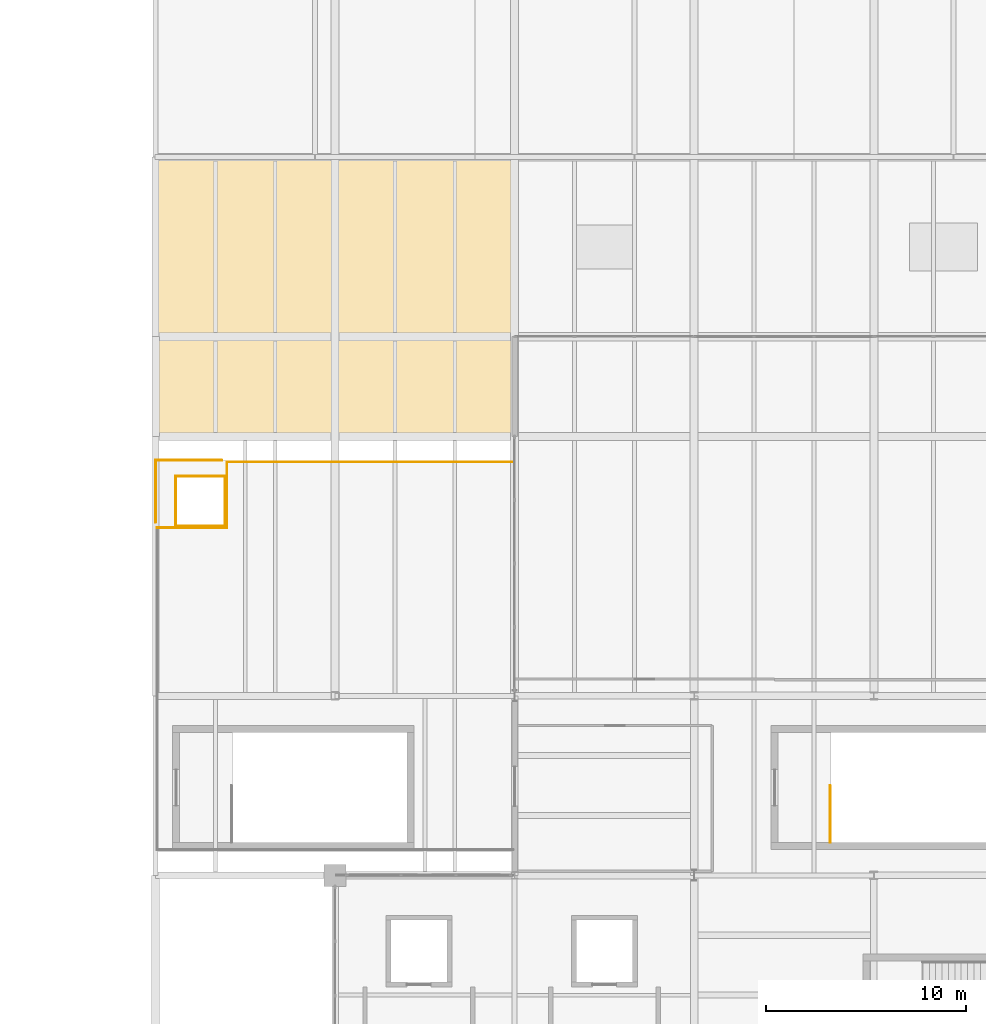
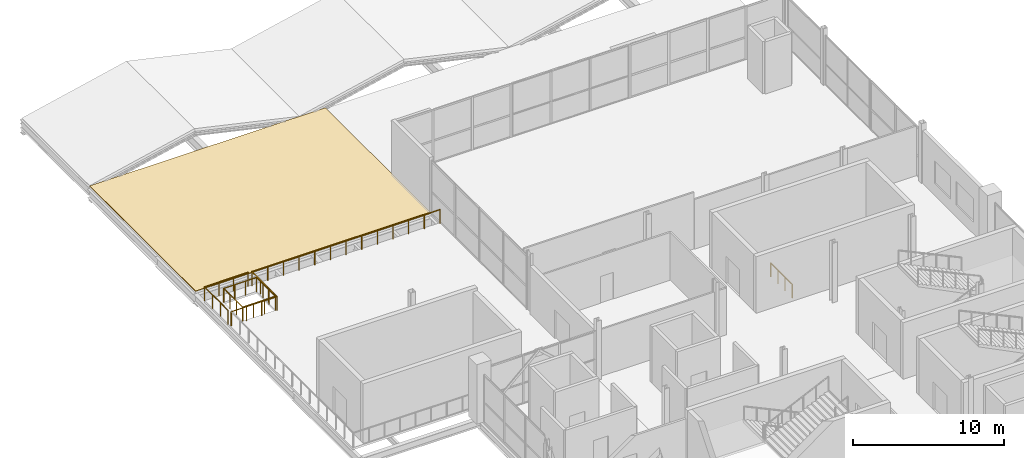
# One storey, part 49 of 50: 10 railings, 1 covering.
"""IFC4 building model written with IfcOpenShell, lengths in metres."""

from ifc_helpers import new_model, si_unit, direction, frame, origin, origin_2d, place, context, subcontext, project, spatial, polyline, circle, outline, extrude, material, layer, layer_set, type_object, element, save


model = new_model("IFC4")

# Units and contexts
model_context = context("Model", 3, precision=1e-05, world=origin(), true_north=direction((0.0, 1.0)))
body_context = subcontext(model_context, "Body", "Model", "MODEL_VIEW")
ifc_project = project(units=[si_unit("LENGTHUNIT", "METRE"), si_unit("AREAUNIT", "SQUARE_METRE"), si_unit("VOLUMEUNIT", "CUBIC_METRE"), si_unit("PLANEANGLEUNIT", "RADIAN"), si_unit("MASSUNIT", "GRAM", prefix="KILO")], contexts=[model_context])

# Site, building, storey
site_placement = place(None, origin())
site = spatial("IfcSite", under=ifc_project, at=site_placement, CompositionType="ELEMENT")
building_placement = place(site_placement, origin())
building = spatial("IfcBuilding", under=site, at=building_placement, Name="Qamarlyn Nura Convention Centre", CompositionType="ELEMENT")
storey_placement = place(building_placement, frame((0.0, 0.0, 20.39990234375)))
storey = spatial("IfcBuildingStorey", under=building, at=storey_placement, Name="L04", CompositionType="ELEMENT", Elevation=20.39990234375)

# Covering
ifc_material_1 = material(Name="High-albedo TPO cool-roof membrane")
ifc_layer = layer(ifc_material_1, 0.050048828125, Name="COV-ROOF-TPO")
ifc_layer_set = layer_set([ifc_layer], Name="High-albedo TPO cool-roof membrane")
covering_type = type_object("IfcCoveringType", Name="COV-ROOF-TPO", PredefinedType="ROOFING", material=ifc_layer_set)
covering_placement = place(storey_placement, origin())
element("IfcCovering", 1, at=covering_placement, inside=storey, type_object=covering_type, Name="L04 high-albedo TPO roof membrane ROOFSLAB-R-L04-CG1", PredefinedType="ROOFING", context=body_context, shape_type="SweptSolid", body=[
    extrude(outline(polyline([(162.0, 103.0), (162.0, 117.0), (144.0, 117.0), (144.0, 103.0), (162.0, 103.0)])), origin(), (0.0, 0.0, 1.0), 0.050048828125),
])

# Railings
ifc_material_2 = material(Name="Marine Grade 316 stainless steel", Category="steel")
railing_type_1 = type_object("IfcRailingType", Name="GRD-STAIR-112", PredefinedType="BALUSTRADE", material=ifc_material_2)
railing_1_placement = place(storey_placement, frame((177.81005859375, 82.64990234375, 0.0)))
element("IfcRailing", 2, at=railing_1_placement, inside=storey, type_object=railing_type_1, Name="L04 ST-17 top well guard 1", PredefinedType="BALUSTRADE", context=body_context, shape_type="SweptSolid", body=[
    extrude(circle(Radius=0.02392578125, at=origin_2d()), frame((0.0, 0.0, 1.09619140625), z_axis=(0.0, 1.0, 0.0), x_axis=(-1.0, 0.0, 0.0)), (0.0, 0.0, 1.0), 2.840087890625),
    extrude(circle(Radius=0.02099609375, at=origin_2d()), origin(), (0.0, 0.0, 1.0), 1.070068359375),
    extrude(circle(Radius=0.02099609375, at=origin_2d()), frame((0.0, 0.94677734375, 0.0)), (0.0, 0.0, 1.0), 1.070068359375),
    extrude(circle(Radius=0.02099609375, at=origin_2d()), frame((0.0, 1.893310546875, 0.0)), (0.0, 0.0, 1.0), 1.070068359375),
    extrude(circle(Radius=0.02099609375, at=origin_2d()), frame((0.0, 2.840087890625, 0.0)), (0.0, 0.0, 1.0), 1.070068359375),
])
railing_type_2 = type_object("IfcRailingType", Name="GRD-TERR-115", PredefinedType="BALUSTRADE", material=ifc_material_2)
railing_2_placement = place(storey_placement, frame((144.080078125, 98.419921875, 0.0)))
element("IfcRailing", 3, at=railing_2_placement, inside=storey, type_object=railing_type_2, Name="L04 Sky-Court Terrace perimeter guard 3", PredefinedType="BALUSTRADE", context=body_context, shape_type="SweptSolid", body=[
    extrude(circle(Radius=0.02392578125, at=origin_2d()), frame((0.0, 0.0, 1.1259765625), z_axis=(1.0, 0.0, 0.0), x_axis=(0.0, 1.0, 0.0)), (0.0, 0.0, 1.0), 3.5),
    extrude(circle(Radius=0.02099609375, at=origin_2d()), origin(), (0.0, 0.0, 1.0), 1.099853515625),
    extrude(circle(Radius=0.02099609375, at=origin_2d()), frame((1.166748046875, 0.0, 0.0)), (0.0, 0.0, 1.0), 1.099853515625),
    extrude(circle(Radius=0.02099609375, at=origin_2d()), frame((2.333251953125, 0.0, 0.0)), (0.0, 0.0, 1.0), 1.099853515625),
    extrude(circle(Radius=0.02099609375, at=origin_2d()), frame((3.5, 0.0, 0.0)), (0.0, 0.0, 1.0), 1.099853515625),
])
railing_3_placement = place(storey_placement, frame((147.580078125, 98.419921875, 0.0)))
element("IfcRailing", 4, at=railing_3_placement, inside=storey, type_object=railing_type_2, Name="L04 Sky-Court Terrace perimeter guard 4", PredefinedType="BALUSTRADE", context=body_context, shape_type="SweptSolid", body=[
    extrude(circle(Radius=0.02392578125, at=origin_2d()), frame((0.0, 0.0, 1.1259765625), z_axis=(0.0, 1.0, 0.0), x_axis=(-1.0, 0.0, 0.0)), (0.0, 0.0, 1.0), 3.300048828125),
    extrude(circle(Radius=0.02099609375, at=origin_2d()), origin(), (0.0, 0.0, 1.0), 1.099853515625),
    extrude(circle(Radius=0.02099609375, at=origin_2d()), frame((0.0, 1.10009765625, 0.0)), (0.0, 0.0, 1.0), 1.099853515625),
    extrude(circle(Radius=0.02099609375, at=origin_2d()), frame((0.0, 2.199951171875, 0.0)), (0.0, 0.0, 1.0), 1.099853515625),
    extrude(circle(Radius=0.02099609375, at=origin_2d()), frame((0.0, 3.300048828125, 0.0)), (0.0, 0.0, 1.0), 1.099853515625),
])
railing_4_placement = place(storey_placement, frame((147.580078125, 101.719970703125, 0.0)))
element("IfcRailing", 5, at=railing_4_placement, inside=storey, type_object=railing_type_2, Name="L04 Sky-Court Terrace perimeter guard 5", PredefinedType="BALUSTRADE", context=body_context, shape_type="SweptSolid", body=[
    extrude(circle(Radius=0.02392578125, at=origin_2d()), frame((0.0, 0.0, 1.1259765625), z_axis=(1.0, 0.0, 0.0), x_axis=(0.0, 1.0, 0.0)), (0.0, 0.0, 1.0), 14.33984375),
    extrude(circle(Radius=0.02099609375, at=origin_2d()), origin(), (0.0, 0.0, 1.0), 1.099853515625),
    extrude(circle(Radius=0.02099609375, at=origin_2d()), frame((1.195068359375, 0.0, 0.0)), (0.0, 0.0, 1.0), 1.099853515625),
    extrude(circle(Radius=0.02099609375, at=origin_2d()), frame((2.389892578125, 0.0, 0.0)), (0.0, 0.0, 1.0), 1.099853515625),
    extrude(circle(Radius=0.02099609375, at=origin_2d()), frame((3.5849609375, 0.0, 0.0)), (0.0, 0.0, 1.0), 1.099853515625),
    extrude(circle(Radius=0.02099609375, at=origin_2d()), frame((4.780029296875, 0.0, 0.0)), (0.0, 0.0, 1.0), 1.099853515625),
    extrude(circle(Radius=0.02099609375, at=origin_2d()), frame((5.974853515625, 0.0, 0.0)), (0.0, 0.0, 1.0), 1.099853515625),
    extrude(circle(Radius=0.02099609375, at=origin_2d()), frame((7.169921875, 0.0, 0.0)), (0.0, 0.0, 1.0), 1.099853515625),
    extrude(circle(Radius=0.02099609375, at=origin_2d()), frame((8.364990234375, 0.0, 0.0)), (0.0, 0.0, 1.0), 1.099853515625),
    extrude(circle(Radius=0.02099609375, at=origin_2d()), frame((9.559814453125, 0.0, 0.0)), (0.0, 0.0, 1.0), 1.099853515625),
    extrude(circle(Radius=0.02099609375, at=origin_2d()), frame((10.7548828125, 0.0, 0.0)), (0.0, 0.0, 1.0), 1.099853515625),
    extrude(circle(Radius=0.02099609375, at=origin_2d()), frame((11.949951171875, 0.0, 0.0)), (0.0, 0.0, 1.0), 1.099853515625),
    extrude(circle(Radius=0.02099609375, at=origin_2d()), frame((13.144775390625, 0.0, 0.0)), (0.0, 0.0, 1.0), 1.099853515625),
    extrude(circle(Radius=0.02099609375, at=origin_2d()), frame((14.33984375, 0.0, 0.0)), (0.0, 0.0, 1.0), 1.099853515625),
])
railing_5_placement = place(storey_placement, frame((145.0, 98.5, 0.0)))
element("IfcRailing", 6, at=railing_5_placement, inside=storey, type_object=railing_type_2, Name="L04 terrace planter guard 38-S", PredefinedType="BALUSTRADE", context=body_context, shape_type="SweptSolid", body=[
    extrude(circle(Radius=0.02392578125, at=origin_2d()), frame((0.0, 0.0, 1.1259765625), z_axis=(1.0, 0.0, 0.0), x_axis=(0.0, 1.0, 0.0)), (0.0, 0.0, 1.0), 2.5),
    extrude(circle(Radius=0.02099609375, at=origin_2d()), origin(), (0.0, 0.0, 1.0), 1.099853515625),
    extrude(circle(Radius=0.02099609375, at=origin_2d()), frame((0.833251953125, 0.0, 0.0)), (0.0, 0.0, 1.0), 1.099853515625),
    extrude(circle(Radius=0.02099609375, at=origin_2d()), frame((1.666748046875, 0.0, 0.0)), (0.0, 0.0, 1.0), 1.099853515625),
    extrude(circle(Radius=0.02099609375, at=origin_2d()), frame((2.5, 0.0, 0.0)), (0.0, 0.0, 1.0), 1.099853515625),
])
railing_6_placement = place(storey_placement, frame((147.5, 101.0, 0.0)))
element("IfcRailing", 7, at=railing_6_placement, inside=storey, type_object=railing_type_2, Name="L04 terrace planter guard 38-N", PredefinedType="BALUSTRADE", context=body_context, shape_type="SweptSolid", body=[
    extrude(circle(Radius=0.02392578125, at=origin_2d()), frame((0.0, 0.0, 1.1259765625), z_axis=(-1.0, 0.0, 0.0), x_axis=(0.0, -1.0, 0.0)), (0.0, 0.0, 1.0), 2.5),
    extrude(circle(Radius=0.02099609375, at=origin_2d()), origin(), (0.0, 0.0, 1.0), 1.099853515625),
    extrude(circle(Radius=0.02099609375, at=origin_2d()), frame((-0.833251953125, 0.0, 0.0)), (0.0, 0.0, 1.0), 1.099853515625),
    extrude(circle(Radius=0.02099609375, at=origin_2d()), frame((-1.666748046875, 0.0, 0.0)), (0.0, 0.0, 1.0), 1.099853515625),
    extrude(circle(Radius=0.02099609375, at=origin_2d()), frame((-2.5, 0.0, 0.0)), (0.0, 0.0, 1.0), 1.099853515625),
])
railing_7_placement = place(storey_placement, frame((145.0, 101.0, 0.0)))
element("IfcRailing", 8, at=railing_7_placement, inside=storey, type_object=railing_type_2, Name="L04 terrace planter guard 38-W", PredefinedType="BALUSTRADE", context=body_context, shape_type="SweptSolid", body=[
    extrude(circle(Radius=0.02392578125, at=origin_2d()), frame((0.0, 0.0, 1.1259765625), z_axis=(0.0, -1.0, 0.0), x_axis=(1.0, 0.0, 0.0)), (0.0, 0.0, 1.0), 2.5),
    extrude(circle(Radius=0.02099609375, at=origin_2d()), origin(), (0.0, 0.0, 1.0), 1.099853515625),
    extrude(circle(Radius=0.02099609375, at=origin_2d()), frame((0.0, -0.833251953125, 0.0)), (0.0, 0.0, 1.0), 1.099853515625),
    extrude(circle(Radius=0.02099609375, at=origin_2d()), frame((0.0, -1.666748046875, 0.0)), (0.0, 0.0, 1.0), 1.099853515625),
    extrude(circle(Radius=0.02099609375, at=origin_2d()), frame((0.0, -2.5, 0.0)), (0.0, 0.0, 1.0), 1.099853515625),
])
railing_8_placement = place(storey_placement, frame((147.5, 98.5, 0.0)))
element("IfcRailing", 9, at=railing_8_placement, inside=storey, type_object=railing_type_2, Name="L04 terrace planter guard 38-E", PredefinedType="BALUSTRADE", context=body_context, shape_type="SweptSolid", body=[
    extrude(circle(Radius=0.02392578125, at=origin_2d()), frame((0.0, 0.0, 1.1259765625), z_axis=(0.0, 1.0, 0.0), x_axis=(-1.0, 0.0, 0.0)), (0.0, 0.0, 1.0), 2.5),
    extrude(circle(Radius=0.02099609375, at=origin_2d()), origin(), (0.0, 0.0, 1.0), 1.099853515625),
    extrude(circle(Radius=0.02099609375, at=origin_2d()), frame((0.0, 0.833251953125, 0.0)), (0.0, 0.0, 1.0), 1.099853515625),
    extrude(circle(Radius=0.02099609375, at=origin_2d()), frame((0.0, 1.666748046875, 0.0)), (0.0, 0.0, 1.0), 1.099853515625),
    extrude(circle(Radius=0.02099609375, at=origin_2d()), frame((0.0, 2.5, 0.0)), (0.0, 0.0, 1.0), 1.099853515625),
])
railing_type_3 = type_object("IfcRailingType", Name="GRD-VOID-112", PredefinedType="BALUSTRADE", material=ifc_material_2)
railing_9_placement = place(storey_placement, frame((144.0, 98.688232421875, 0.0)))
element("IfcRailing", 10, at=railing_9_placement, inside=storey, type_object=railing_type_3, Name="L04 slab edge balustrade guard 084", PredefinedType="BALUSTRADE", context=body_context, shape_type="SweptSolid", body=[
    extrude(circle(Radius=0.02392578125, at=origin_2d()), frame((0.0, 0.0, 1.09619140625), z_axis=(0.0, 1.0, 0.0), x_axis=(-1.0, 0.0, 0.0)), (0.0, 0.0, 1.0), 3.11181640625),
    extrude(circle(Radius=0.02099609375, at=origin_2d()), origin(), (0.0, 0.0, 1.0), 1.070068359375),
    extrude(circle(Radius=0.02099609375, at=origin_2d()), frame((0.0, 1.037353515625, 0.0)), (0.0, 0.0, 1.0), 1.070068359375),
    extrude(circle(Radius=0.02099609375, at=origin_2d()), frame((0.0, 2.074462890625, 0.0)), (0.0, 0.0, 1.0), 1.070068359375),
    extrude(circle(Radius=0.02099609375, at=origin_2d()), frame((0.0, 3.11181640625, 0.0)), (0.0, 0.0, 1.0), 1.070068359375),
])
railing_10_placement = place(storey_placement, frame((144.0, 101.800048828125, 0.0)))
element("IfcRailing", 11, at=railing_10_placement, inside=storey, type_object=railing_type_3, Name="L04 slab edge balustrade guard 085", PredefinedType="BALUSTRADE", context=body_context, shape_type="SweptSolid", body=[
    extrude(circle(Radius=0.02392578125, at=origin_2d()), frame((0.0, 0.0, 1.09619140625), z_axis=(1.0, 0.0, 0.0), x_axis=(0.0, 1.0, 0.0)), (0.0, 0.0, 1.0), 3.311767578125),
    extrude(circle(Radius=0.02099609375, at=origin_2d()), origin(), (0.0, 0.0, 1.0), 1.070068359375),
    extrude(circle(Radius=0.02099609375, at=origin_2d()), frame((1.10400390625, 0.0, 0.0)), (0.0, 0.0, 1.0), 1.070068359375),
    extrude(circle(Radius=0.02099609375, at=origin_2d()), frame((2.207763671875, 0.0, 0.0)), (0.0, 0.0, 1.0), 1.070068359375),
    extrude(circle(Radius=0.02099609375, at=origin_2d()), frame((3.311767578125, 0.0, 0.0)), (0.0, 0.0, 1.0), 1.070068359375),
])

save(model, "model.ifc")
